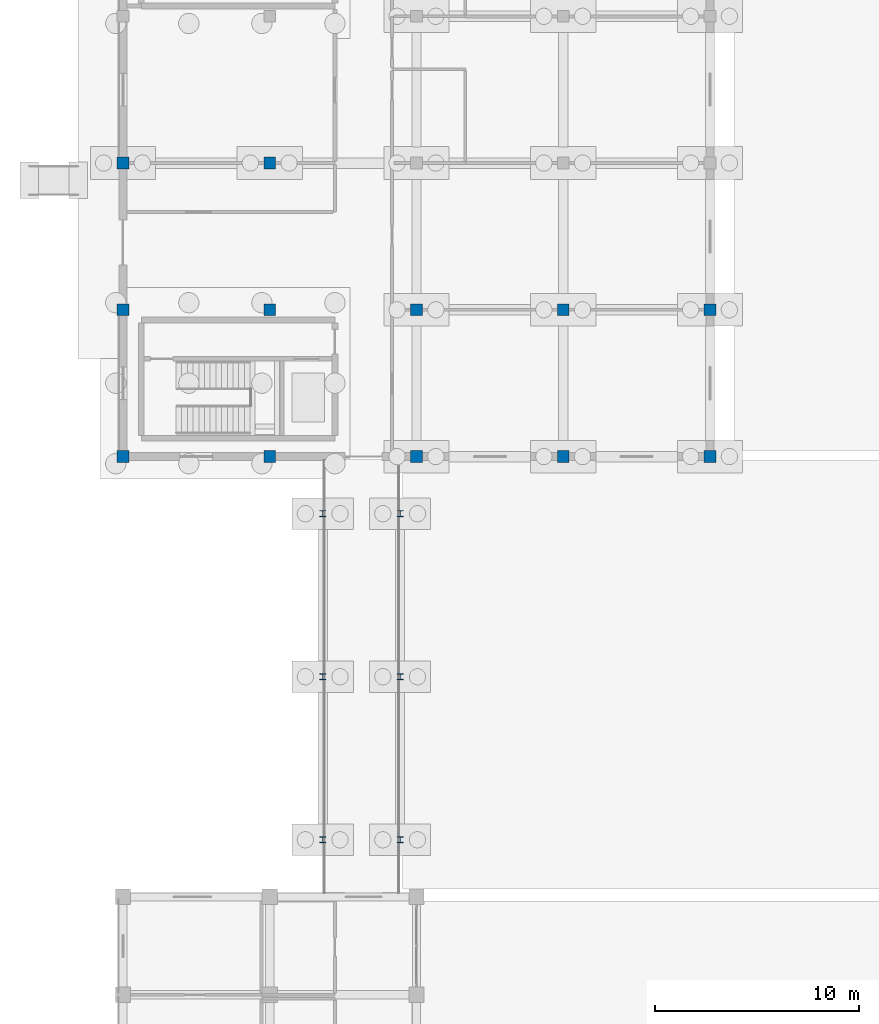
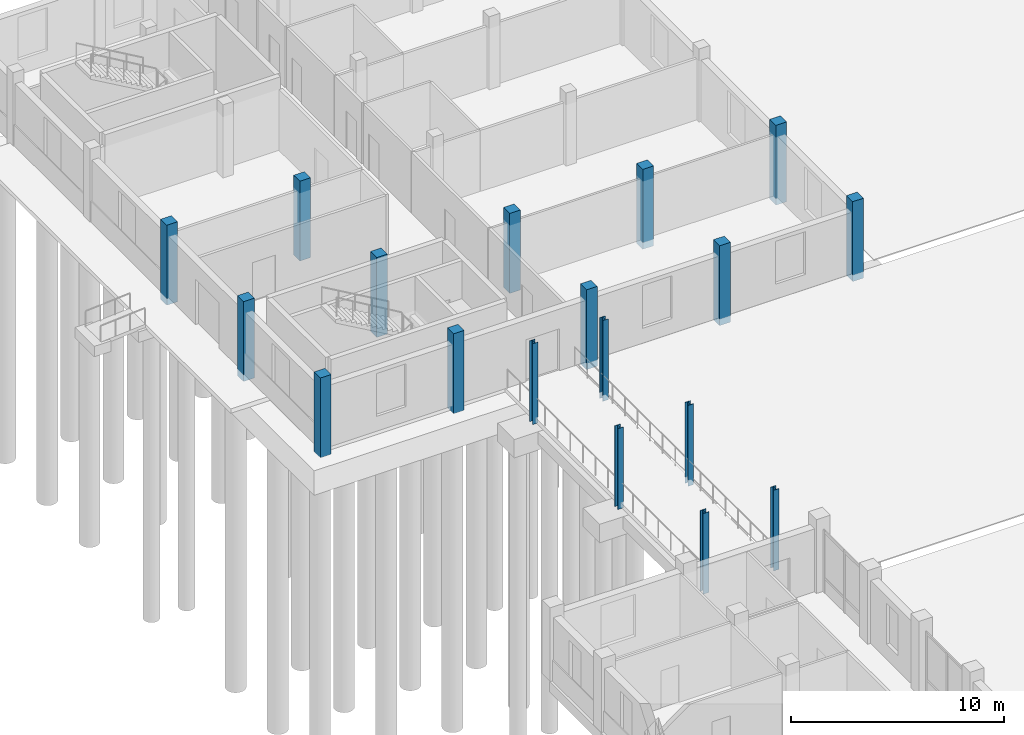
# One storey, part 12 of 98: 18 columns.
"""IFC4 building model written with IfcOpenShell, lengths in metres."""

import ifcopenshell
import ifcopenshell.guid

model = None  # the IFC model being written
_history = None  # IfcOwnerHistory: only IFC2X3 demands one
_inside = {}  # id of a spatial element -> (the spatial element, [elements in it])
_under = {}  # id of a project, library or spatial element -> (it, [spatial elements below it])
_declared = {}  # id of a project -> (the project, [libraries it declares])
_typed = {}  # id of a type object -> (the type object, [elements of that type])
_made_of = {}  # id of a material, layer set ... -> (it, [elements and type objects made of it])


def new_model(schema):
    """Start an empty IFC model of exactly this schema.

    Asked for "IFC4X3", IfcOpenShell would pick the latest addendum, in which some entities
    have other attributes; the version numbers below select the first issue.
    IFC2X3 requires an IfcOwnerHistory on every rooted entity: one is made here for all.
    """
    global model, _history
    if schema == "IFC4X3":
        model = ifcopenshell.file(schema_version=(4, 3, 0, 0))
    else:
        model = ifcopenshell.file(schema=schema)
    _inside.clear()
    _under.clear()
    _declared.clear()
    _typed.clear()
    _made_of.clear()
    _history = None
    if model.schema == "IFC2X3":
        org = make("IfcOrganization", Name="unknown")
        user = make(
            "IfcPersonAndOrganization",
            ThePerson=make("IfcPerson", FamilyName="unknown"),
            TheOrganization=org,
        )
        app = make(
            "IfcApplication",
            ApplicationDeveloper=org,
            Version="unknown",
            ApplicationFullName="unknown",
            ApplicationIdentifier="unknown",
        )
        _history = make(
            "IfcOwnerHistory",
            OwningUser=user,
            OwningApplication=app,
            ChangeAction="ADDED",
            CreationDate=0,
        )
    return model


def make(cls, **values):
    """One entity of the class cls with the attributes given. An attribute that is None is left unset."""
    return model.create_entity(
        cls, **{name: value for name, value in values.items() if value is not None}
    )


def rooted(cls, **values):
    """An entity with a GlobalId (a new one), such as an element, a storey or a relation."""
    return make(cls, GlobalId=ifcopenshell.guid.new(), OwnerHistory=_history, **values)


def si_unit(unit_type, name, prefix=None):
    """IfcSIUnit, for example si_unit("LENGTHUNIT", "METRE", prefix="MILLI")."""
    return make("IfcSIUnit", UnitType=unit_type, Prefix=prefix, Name=name)


def assignment(units):
    """IfcUnitAssignment: the units of a project."""
    return None if units is None else make("IfcUnitAssignment", Units=units)


def point(xyz):
    """IfcCartesianPoint."""
    return None if xyz is None else make("IfcCartesianPoint", Coordinates=xyz)


def direction(xyz):
    """IfcDirection."""
    return None if xyz is None else make("IfcDirection", DirectionRatios=xyz)


def frame(location, z_axis=None, x_axis=None):
    """IfcAxis2Placement3D, a coordinate frame: its origin and axes. An axis left out is left unset."""
    return make(
        "IfcAxis2Placement3D",
        Location=point(location),
        Axis=direction(z_axis),
        RefDirection=direction(x_axis),
    )


def frame_2d(location, x_axis=None):
    """IfcAxis2Placement2D, a coordinate frame in the plane: its origin and x axis."""
    return make(
        "IfcAxis2Placement2D", Location=point(location), RefDirection=direction(x_axis)
    )


def origin():
    """The frame at (0, 0, 0) with its axes left unset."""
    return frame((0.0, 0.0, 0.0))


def origin_2d():
    """The frame at (0, 0) in the plane with its x axis left unset."""
    return frame_2d((0.0, 0.0))


def place(relative_to, where):
    """IfcLocalPlacement: puts the frame where relative to a parent placement (None: the world)."""
    return make(
        "IfcLocalPlacement", PlacementRelTo=relative_to, RelativePlacement=where
    )


def context(
    kind, dimensions, precision=None, world=None, true_north=None, identifier=None
):
    """IfcGeometricRepresentationContext, for example the 3D "Model" context."""
    return make(
        "IfcGeometricRepresentationContext",
        ContextIdentifier=identifier,
        ContextType=kind,
        CoordinateSpaceDimension=dimensions,
        Precision=precision,
        WorldCoordinateSystem=world,
        TrueNorth=true_north,
    )


def subcontext(parent, identifier, kind, view, scale=None):
    """IfcGeometricRepresentationSubContext, for example "Body" below "Model"."""
    return make(
        "IfcGeometricRepresentationSubContext",
        ContextIdentifier=identifier,
        ContextType=kind,
        ParentContext=parent,
        TargetScale=scale,
        TargetView=view,
    )


def project(units=None, contexts=None):
    """IfcProject with its units and contexts."""
    return rooted(
        "IfcProject",
        Name="project",
        RepresentationContexts=contexts,
        UnitsInContext=assignment(units),
    )


def spatial(cls, under=None, at=None, **own):
    """A site, building, storey or space (cls), placed at a placement, below another one or the project."""
    s = rooted(cls, ObjectPlacement=at, **own)
    if under is not None:
        _under.setdefault(under.id(), (under, []))[1].append(s)
    return s


def profile(cls, at=None, kind="AREA", **sizes):
    """A parametric profile (cls). Its sizes go by their IFC names, for example OverallWidth=200.0."""
    return make(cls, ProfileType=kind, Position=at, **sizes)


def rectangle(**sizes):
    """IfcRectangleProfileDef."""
    return profile("IfcRectangleProfileDef", **sizes)


def i_section(**sizes):
    """IfcIShapeProfileDef."""
    return profile("IfcIShapeProfileDef", **sizes)


def extrude(swept, where, along, depth):
    """IfcExtrudedAreaSolid: the profile swept, set in the frame where, extruded along a direction by depth."""
    return make(
        "IfcExtrudedAreaSolid",
        SweptArea=swept,
        Position=where,
        ExtrudedDirection=direction(along),
        Depth=depth,
    )


def shape(context_of_items, identifier, shape_type, items):
    """IfcShapeRepresentation: the items that make up one representation, for example the "Body"."""
    return make(
        "IfcShapeRepresentation",
        ContextOfItems=context_of_items,
        RepresentationIdentifier=identifier,
        RepresentationType=shape_type,
        Items=items,
    )


def material(Name=None, Category=None):
    """IfcMaterial."""
    return make("IfcMaterial", Name=Name, Category=Category)


def material_profile(
    of_material, cross_section, Name=None, Category=None, Priority=None
):
    """IfcMaterialProfile: a cross section and its material."""
    return make(
        "IfcMaterialProfile",
        Name=Name,
        Material=of_material,
        Profile=cross_section,
        Priority=Priority,
        Category=Category,
    )


def profile_set(profiles, Name=None, composite=None):
    """IfcMaterialProfileSet."""
    return make(
        "IfcMaterialProfileSet",
        Name=Name,
        MaterialProfiles=profiles,
        CompositeProfile=composite,
    )


def made_of(thing, what):
    """Note that an element or type object is made of a material, layer set ...; save() writes the relation."""
    if what is not None:
        _made_of.setdefault(what.id(), (what, []))[1].append(thing)
    return thing


def type_object(cls, material=None, **own):
    """A type object (cls), such as IfcWallType, which elements share."""
    return made_of(rooted(cls, **own), material)


def element(
    cls,
    number,
    at=None,
    inside=None,
    cuts=None,
    type_object=None,
    material=None,
    context=None,
    identifier="Body",
    shape_type=None,
    held_by="IfcProductDefinitionShape",
    body=None,
    shapes=None,
    **own,
):
    """One element of the class cls, such as IfcWall. Its Tag is "e" and its number.

    at: its placement. inside: the storey or other place that contains it. cuts: it is an
    opening in that element (IfcRelVoidsElement). A single representation is given by context,
    identifier, shape_type and body (its items); several are given by shapes. held_by: the class
    of the entity that holds the representations. save() writes the other relations.
    """
    e = rooted(cls, Tag="e%d" % number, ObjectPlacement=at, **own)
    if body is not None:
        shapes = [shape(context, identifier, shape_type, body)]
    if shapes is not None:
        e.Representation = make(held_by, Representations=shapes)
    if inside is not None:
        _inside.setdefault(inside.id(), (inside, []))[1].append(e)
    if cuts is not None:
        rooted(
            "IfcRelVoidsElement", RelatingBuildingElement=cuts, RelatedOpeningElement=e
        )
    if type_object is not None:
        _typed.setdefault(type_object.id(), (type_object, []))[1].append(e)
    return made_of(e, material)


def aggregate(whole, parts):
    """IfcRelAggregates: a whole, such as a stair, and the parts it consists of."""
    return rooted("IfcRelAggregates", RelatingObject=whole, RelatedObjects=parts)


def save(model, path):
    """Write the relations noted so far, then the file.

    IfcRelAggregates (storeys below a building ...), IfcRelContainedInSpatialStructure (elements
    in a storey), IfcRelDefinesByType, IfcRelAssociatesMaterial and IfcRelDeclares: one each for
    every whole, place, type object, material and project.
    """
    for whole, parts in _under.values():
        aggregate(whole, parts)
    for where, things in _inside.values():
        rooted(
            "IfcRelContainedInSpatialStructure",
            RelatedElements=things,
            RelatingStructure=where,
        )
    for kind, things in _typed.values():
        rooted("IfcRelDefinesByType", RelatedObjects=things, RelatingType=kind)
    for what, things in _made_of.values():
        rooted("IfcRelAssociatesMaterial", RelatedObjects=things, RelatingMaterial=what)
    for by, libraries in _declared.values():
        rooted("IfcRelDeclares", RelatingContext=by, RelatedDefinitions=libraries)
    model.write(path)


model = new_model("IFC4")

# Units and contexts
model_context = context("Model", 3, precision=1e-05, world=origin(), true_north=direction((0.0, 1.0)))
body_context = subcontext(model_context, "Body", "Model", "MODEL_VIEW")
ifc_project = project(units=[si_unit("LENGTHUNIT", "METRE"), si_unit("AREAUNIT", "SQUARE_METRE"), si_unit("VOLUMEUNIT", "CUBIC_METRE"), si_unit("PLANEANGLEUNIT", "RADIAN"), si_unit("MASSUNIT", "GRAM", prefix="KILO")], contexts=[model_context])

# Site, building, storey
site_placement = place(None, origin())
site = spatial("IfcSite", under=ifc_project, at=site_placement, CompositionType="ELEMENT")
building_placement = place(site_placement, origin())
building = spatial("IfcBuilding", under=site, at=building_placement, Name="Zornivar Specialist Clinic", CompositionType="ELEMENT")
storey_placement = place(building_placement, origin())
storey = spatial("IfcBuildingStorey", under=building, at=storey_placement, Name="L00", CompositionType="ELEMENT", Elevation=0.0)

# Columns
ifc_material_1 = material(Name="Concrete C35/45", Category="concrete")
ifc_material_profile_1 = material_profile(ifc_material_1, rectangle(XDim=0.580078125, YDim=0.580078125, at=origin_2d()), Name="RC 580x580")
ifc_profile_set_1 = profile_set([ifc_material_profile_1], Name="Concrete C35/45")
column_type_1 = type_object("IfcColumnType", Name="COL-RC-580", PredefinedType="COLUMN", material=ifc_profile_set_1)
for number, where, z_axis, x_axis, name in (
    (1, (0.0, 79.199951171875, -0.3798828125), (0.0, 0.0, 1.0), (1.0, 0.0, 0.0), "col:V5:L00:0_792"),
    (2, (0.0, 86.39990234375, -0.3798828125), (0.0, 0.0, 1.0), (1.0, 0.0, 0.0), "col:V5:L00:0_864"),
    (3, (0.0, 93.60009765625, -0.3798828125), (0.0, 0.0, 1.0), (1.0, 0.0, 0.0), "col:V5:L00:0_936"),
    (4, (7.199951171875, 79.199951171875, -0.3798828125), (0.0, 0.0, 1.0), (1.0, 0.0, 0.0), "col:V5:L00:72_792"),
    (5, (7.199951171875, 86.39990234375, -0.3798828125), (0.0, 0.0, 1.0), (1.0, 0.0, 0.0), "col:V5:L00:72_864"),
    (6, (7.199951171875, 93.60009765625, -0.3798828125), (0.0, 0.0, 1.0), (1.0, 0.0, 0.0), "col:V5:L00:72_936"),
    (7, (14.39990234375, 79.199951171875, -0.3798828125), (0.0, 0.0, 1.0), (1.0, 0.0, 0.0), "col:V5:L00:144_792"),
    (8, (14.39990234375, 86.39990234375, -0.3798828125), (0.0, 0.0, 1.0), (1.0, 0.0, 0.0), "col:V5:L00:144_864"),
    (9, (21.60009765625, 79.199951171875, -0.3798828125), (0.0, 0.0, 1.0), (1.0, 0.0, 0.0), "col:V5:L00:216_792"),
    (10, (21.60009765625, 86.39990234375, -0.3798828125), (0.0, 0.0, 1.0), (1.0, 0.0, 0.0), "col:V5:L00:216_864"),
    (11, (28.800048828125, 79.199951171875, -0.3798828125), (0.0, 0.0, 1.0), (1.0, 0.0, 0.0), "col:V5:L00:288_792"),
    (12, (28.800048828125, 86.39990234375, -0.3798828125), (0.0, 0.0, 1.0), (1.0, 0.0, 0.0), "col:V5:L00:288_864"),
):
    element("IfcColumn", number, at=place(storey_placement, frame(where, z_axis=z_axis, x_axis=x_axis)), inside=storey, type_object=column_type_1, Name=name, PredefinedType="COLUMN", context=body_context, shape_type="SweptSolid", body=[
        extrude(rectangle(XDim=0.580078125, YDim=0.580078125, at=origin_2d()), origin(), (0.0, 0.0, 1.0), 4.56982421875),
    ])
ifc_material_2 = material(Name="Steel S355J2", Category="steel")
ifc_material_profile_2 = material_profile(ifc_material_2, i_section(OverallWidth=0.300048828125, OverallDepth=0.300048828125, WebThickness=0.010986328125, FlangeThickness=0.01904296875, FilletRadius=0.027099609375, at=origin_2d()), Name="HEB 300")
ifc_profile_set_2 = profile_set([ifc_material_profile_2], Name="Steel S355J2")
column_type_2 = type_object("IfcColumnType", Name="COL-STL-HEB300", PredefinedType="COLUMN", material=ifc_profile_set_2)
for number, where, z_axis, x_axis, name in (
    (13, (9.800048828125, 60.39990234375, -0.35009765625), (0.0, 0.0, 1.0), (1.0, 0.0, 0.0), "col:BR2:L00:98_604"),
    (14, (9.800048828125, 68.39990234375, -0.35009765625), (0.0, 0.0, 1.0), (1.0, 0.0, 0.0), "col:BR2:L00:98_684"),
    (15, (9.800048828125, 76.39990234375, -0.35009765625), (0.0, 0.0, 1.0), (1.0, 0.0, 0.0), "col:BR2:L00:98_764"),
    (16, (13.60009765625, 60.39990234375, -0.35009765625), (0.0, 0.0, 1.0), (1.0, 0.0, 0.0), "col:BR2:L00:136_604"),
    (17, (13.60009765625, 68.39990234375, -0.35009765625), (0.0, 0.0, 1.0), (1.0, 0.0, 0.0), "col:BR2:L00:136_684"),
    (18, (13.60009765625, 76.39990234375, -0.35009765625), (0.0, 0.0, 1.0), (1.0, 0.0, 0.0), "col:BR2:L00:136_764"),
):
    element("IfcColumn", number, at=place(storey_placement, frame(where, z_axis=z_axis, x_axis=x_axis)), inside=storey, type_object=column_type_2, Name=name, PredefinedType="COLUMN", context=body_context, shape_type="SweptSolid", body=[
        extrude(i_section(OverallWidth=0.300048828125, OverallDepth=0.300048828125, WebThickness=0.010986328125, FlangeThickness=0.01904296875, FilletRadius=0.027099609375, at=origin_2d()), origin(), (0.0, 0.0, 1.0), 4.6201171875),
    ])

save(model, "model.ifc")
